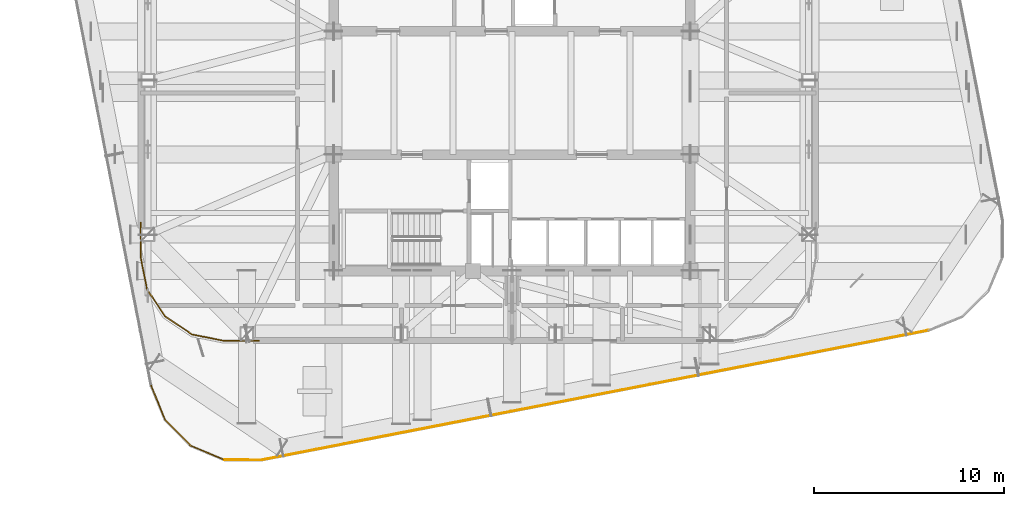
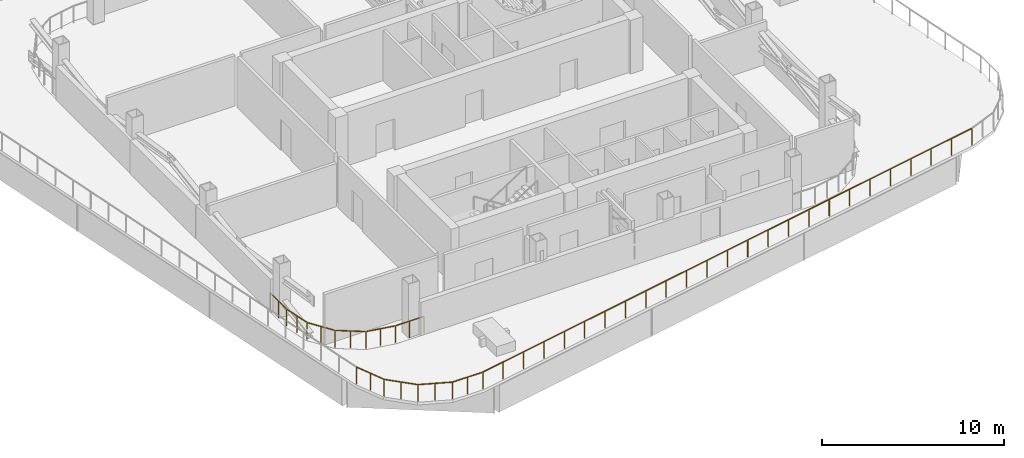
# One storey, part 10 of 14: 6 railings.
"""IFC4 building model written with IfcOpenShell, lengths in metres."""

import ifcopenshell
import ifcopenshell.guid

model = None  # the IFC model being written
_history = None  # IfcOwnerHistory: only IFC2X3 demands one
_inside = {}  # id of a spatial element -> (the spatial element, [elements in it])
_under = {}  # id of a project, library or spatial element -> (it, [spatial elements below it])
_declared = {}  # id of a project -> (the project, [libraries it declares])
_typed = {}  # id of a type object -> (the type object, [elements of that type])
_made_of = {}  # id of a material, layer set ... -> (it, [elements and type objects made of it])


def new_model(schema):
    """Start an empty IFC model of exactly this schema.

    Asked for "IFC4X3", IfcOpenShell would pick the latest addendum, in which some entities
    have other attributes; the version numbers below select the first issue.
    IFC2X3 requires an IfcOwnerHistory on every rooted entity: one is made here for all.
    """
    global model, _history
    if schema == "IFC4X3":
        model = ifcopenshell.file(schema_version=(4, 3, 0, 0))
    else:
        model = ifcopenshell.file(schema=schema)
    _inside.clear()
    _under.clear()
    _declared.clear()
    _typed.clear()
    _made_of.clear()
    _history = None
    if model.schema == "IFC2X3":
        org = make("IfcOrganization", Name="unknown")
        user = make(
            "IfcPersonAndOrganization",
            ThePerson=make("IfcPerson", FamilyName="unknown"),
            TheOrganization=org,
        )
        app = make(
            "IfcApplication",
            ApplicationDeveloper=org,
            Version="unknown",
            ApplicationFullName="unknown",
            ApplicationIdentifier="unknown",
        )
        _history = make(
            "IfcOwnerHistory",
            OwningUser=user,
            OwningApplication=app,
            ChangeAction="ADDED",
            CreationDate=0,
        )
    return model


def make(cls, **values):
    """One entity of the class cls with the attributes given. An attribute that is None is left unset."""
    return model.create_entity(
        cls, **{name: value for name, value in values.items() if value is not None}
    )


def rooted(cls, **values):
    """An entity with a GlobalId (a new one), such as an element, a storey or a relation."""
    return make(cls, GlobalId=ifcopenshell.guid.new(), OwnerHistory=_history, **values)


def si_unit(unit_type, name, prefix=None):
    """IfcSIUnit, for example si_unit("LENGTHUNIT", "METRE", prefix="MILLI")."""
    return make("IfcSIUnit", UnitType=unit_type, Prefix=prefix, Name=name)


def assignment(units):
    """IfcUnitAssignment: the units of a project."""
    return None if units is None else make("IfcUnitAssignment", Units=units)


def point(xyz):
    """IfcCartesianPoint."""
    return None if xyz is None else make("IfcCartesianPoint", Coordinates=xyz)


def direction(xyz):
    """IfcDirection."""
    return None if xyz is None else make("IfcDirection", DirectionRatios=xyz)


def frame(location, z_axis=None, x_axis=None):
    """IfcAxis2Placement3D, a coordinate frame: its origin and axes. An axis left out is left unset."""
    return make(
        "IfcAxis2Placement3D",
        Location=point(location),
        Axis=direction(z_axis),
        RefDirection=direction(x_axis),
    )


def frame_2d(location, x_axis=None):
    """IfcAxis2Placement2D, a coordinate frame in the plane: its origin and x axis."""
    return make(
        "IfcAxis2Placement2D", Location=point(location), RefDirection=direction(x_axis)
    )


def origin():
    """The frame at (0, 0, 0) with its axes left unset."""
    return frame((0.0, 0.0, 0.0))


def origin_2d():
    """The frame at (0, 0) in the plane with its x axis left unset."""
    return frame_2d((0.0, 0.0))


def place(relative_to, where):
    """IfcLocalPlacement: puts the frame where relative to a parent placement (None: the world)."""
    return make(
        "IfcLocalPlacement", PlacementRelTo=relative_to, RelativePlacement=where
    )


def context(
    kind, dimensions, precision=None, world=None, true_north=None, identifier=None
):
    """IfcGeometricRepresentationContext, for example the 3D "Model" context."""
    return make(
        "IfcGeometricRepresentationContext",
        ContextIdentifier=identifier,
        ContextType=kind,
        CoordinateSpaceDimension=dimensions,
        Precision=precision,
        WorldCoordinateSystem=world,
        TrueNorth=true_north,
    )


def subcontext(parent, identifier, kind, view, scale=None):
    """IfcGeometricRepresentationSubContext, for example "Body" below "Model"."""
    return make(
        "IfcGeometricRepresentationSubContext",
        ContextIdentifier=identifier,
        ContextType=kind,
        ParentContext=parent,
        TargetScale=scale,
        TargetView=view,
    )


def project(units=None, contexts=None):
    """IfcProject with its units and contexts."""
    return rooted(
        "IfcProject",
        Name="project",
        RepresentationContexts=contexts,
        UnitsInContext=assignment(units),
    )


def spatial(cls, under=None, at=None, **own):
    """A site, building, storey or space (cls), placed at a placement, below another one or the project."""
    s = rooted(cls, ObjectPlacement=at, **own)
    if under is not None:
        _under.setdefault(under.id(), (under, []))[1].append(s)
    return s


def profile(cls, at=None, kind="AREA", **sizes):
    """A parametric profile (cls). Its sizes go by their IFC names, for example OverallWidth=200.0."""
    return make(cls, ProfileType=kind, Position=at, **sizes)


def rectangle(**sizes):
    """IfcRectangleProfileDef."""
    return profile("IfcRectangleProfileDef", **sizes)


def extrude(swept, where, along, depth):
    """IfcExtrudedAreaSolid: the profile swept, set in the frame where, extruded along a direction by depth."""
    return make(
        "IfcExtrudedAreaSolid",
        SweptArea=swept,
        Position=where,
        ExtrudedDirection=direction(along),
        Depth=depth,
    )


def shape(context_of_items, identifier, shape_type, items):
    """IfcShapeRepresentation: the items that make up one representation, for example the "Body"."""
    return make(
        "IfcShapeRepresentation",
        ContextOfItems=context_of_items,
        RepresentationIdentifier=identifier,
        RepresentationType=shape_type,
        Items=items,
    )


def material(Name=None, Category=None):
    """IfcMaterial."""
    return make("IfcMaterial", Name=Name, Category=Category)


def made_of(thing, what):
    """Note that an element or type object is made of a material, layer set ...; save() writes the relation."""
    if what is not None:
        _made_of.setdefault(what.id(), (what, []))[1].append(thing)
    return thing


def type_object(cls, material=None, **own):
    """A type object (cls), such as IfcWallType, which elements share."""
    return made_of(rooted(cls, **own), material)


def element(
    cls,
    number,
    at=None,
    inside=None,
    cuts=None,
    type_object=None,
    material=None,
    context=None,
    identifier="Body",
    shape_type=None,
    held_by="IfcProductDefinitionShape",
    body=None,
    shapes=None,
    **own,
):
    """One element of the class cls, such as IfcWall. Its Tag is "e" and its number.

    at: its placement. inside: the storey or other place that contains it. cuts: it is an
    opening in that element (IfcRelVoidsElement). A single representation is given by context,
    identifier, shape_type and body (its items); several are given by shapes. held_by: the class
    of the entity that holds the representations. save() writes the other relations.
    """
    e = rooted(cls, Tag="e%d" % number, ObjectPlacement=at, **own)
    if body is not None:
        shapes = [shape(context, identifier, shape_type, body)]
    if shapes is not None:
        e.Representation = make(held_by, Representations=shapes)
    if inside is not None:
        _inside.setdefault(inside.id(), (inside, []))[1].append(e)
    if cuts is not None:
        rooted(
            "IfcRelVoidsElement", RelatingBuildingElement=cuts, RelatedOpeningElement=e
        )
    if type_object is not None:
        _typed.setdefault(type_object.id(), (type_object, []))[1].append(e)
    return made_of(e, material)


def aggregate(whole, parts):
    """IfcRelAggregates: a whole, such as a stair, and the parts it consists of."""
    return rooted("IfcRelAggregates", RelatingObject=whole, RelatedObjects=parts)


def save(model, path):
    """Write the relations noted so far, then the file.

    IfcRelAggregates (storeys below a building ...), IfcRelContainedInSpatialStructure (elements
    in a storey), IfcRelDefinesByType, IfcRelAssociatesMaterial and IfcRelDeclares: one each for
    every whole, place, type object, material and project.
    """
    for whole, parts in _under.values():
        aggregate(whole, parts)
    for where, things in _inside.values():
        rooted(
            "IfcRelContainedInSpatialStructure",
            RelatedElements=things,
            RelatingStructure=where,
        )
    for kind, things in _typed.values():
        rooted("IfcRelDefinesByType", RelatedObjects=things, RelatingType=kind)
    for what, things in _made_of.values():
        rooted("IfcRelAssociatesMaterial", RelatedObjects=things, RelatingMaterial=what)
    for by, libraries in _declared.values():
        rooted("IfcRelDeclares", RelatingContext=by, RelatedDefinitions=libraries)
    model.write(path)


model = new_model("IFC4")

# Units and contexts
model_context = context("Model", 3, precision=1e-05, world=origin(), true_north=direction((0.0, 1.0)))
body_context = subcontext(model_context, "Body", "Model", "MODEL_VIEW")
ifc_project = project(units=[si_unit("LENGTHUNIT", "METRE"), si_unit("AREAUNIT", "SQUARE_METRE"), si_unit("VOLUMEUNIT", "CUBIC_METRE"), si_unit("PLANEANGLEUNIT", "RADIAN"), si_unit("MASSUNIT", "GRAM", prefix="KILO")], contexts=[model_context])

# Site, building, storey
site_placement = place(None, origin())
site = spatial("IfcSite", under=ifc_project, at=site_placement, CompositionType="ELEMENT")
building_placement = place(site_placement, origin())
building = spatial("IfcBuilding", under=site, at=building_placement, Name="Qhalaya Broadcast Tower", CompositionType="ELEMENT")
storey_placement = place(building_placement, frame((0.0, 0.0, 144.60009765625)))
storey = spatial("IfcBuildingStorey", under=building, at=storey_placement, Name="L42", CompositionType="ELEMENT", Elevation=144.60009765625)

# Railings
ifc_material = material(Name="Powder-Coated Galvanised Steel", Category="steel")
railing_type = type_object("IfcRailingType", Name="Terrace, Sky-Pool & Lookout Glass Balustrade 1150", PredefinedType="BALUSTRADE", material=ifc_material)
railing_1_placement = place(storey_placement, frame((21.85888671875, -11.8671875, 0.0)))
element("IfcRailing", 1, at=railing_1_placement, inside=storey, type_object=railing_type, Name="L42 Perimeter Safety Balustrade BAL-TER1-01", PredefinedType="BALUSTRADE", context=body_context, shape_type="SweptSolid", body=[
    extrude(rectangle(XDim=0.048095703125, YDim=0.048095703125, at=origin_2d()), frame((0.0, 0.0, 1.1259765625), z_axis=(-0.981627316226, -0.190808312289, 0.0), x_axis=(0.190808312289, -0.981627316226, 0.0)), (0.0, 0.0, 1.0), 35.68408203125),
    extrude(rectangle(XDim=0.0419921875, YDim=0.0419921875, at=origin_2d()), origin(), (0.0, 0.0, 1.0), 1.099853515625),
    extrude(rectangle(XDim=0.0419921875, YDim=0.0419921875, at=origin_2d()), frame((-1.45947265625, -0.28369140625, 0.0)), (0.0, 0.0, 1.0), 1.099853515625),
    extrude(rectangle(XDim=0.0419921875, YDim=0.0419921875, at=origin_2d()), frame((-2.9189453125, -0.5673828125, 0.0)), (0.0, 0.0, 1.0), 1.099853515625),
    extrude(rectangle(XDim=0.0419921875, YDim=0.0419921875, at=origin_2d()), frame((-4.378662109375, -0.85107421875, 0.0)), (0.0, 0.0, 1.0), 1.099853515625),
    extrude(rectangle(XDim=0.0419921875, YDim=0.0419921875, at=origin_2d()), frame((-5.838134765625, -1.134765625, 0.0)), (0.0, 0.0, 1.0), 1.099853515625),
    extrude(rectangle(XDim=0.0419921875, YDim=0.0419921875, at=origin_2d()), frame((-7.297607421875, -1.41845703125, 0.0)), (0.0, 0.0, 1.0), 1.099853515625),
    extrude(rectangle(XDim=0.0419921875, YDim=0.0419921875, at=origin_2d()), frame((-8.757080078125, -1.7021484375, 0.0)), (0.0, 0.0, 1.0), 1.099853515625),
    extrude(rectangle(XDim=0.0419921875, YDim=0.0419921875, at=origin_2d()), frame((-10.216552734375, -1.98583984375, 0.0)), (0.0, 0.0, 1.0), 1.099853515625),
    extrude(rectangle(XDim=0.0419921875, YDim=0.0419921875, at=origin_2d()), frame((-11.67626953125, -2.26953125, 0.0)), (0.0, 0.0, 1.0), 1.099853515625),
    extrude(rectangle(XDim=0.0419921875, YDim=0.0419921875, at=origin_2d()), frame((-13.1357421875, -2.55322265625, 0.0)), (0.0, 0.0, 1.0), 1.099853515625),
    extrude(rectangle(XDim=0.0419921875, YDim=0.0419921875, at=origin_2d()), frame((-14.59521484375, -2.8369140625, 0.0)), (0.0, 0.0, 1.0), 1.099853515625),
    extrude(rectangle(XDim=0.0419921875, YDim=0.0419921875, at=origin_2d()), frame((-16.0546875, -3.12060546875, 0.0)), (0.0, 0.0, 1.0), 1.099853515625),
    extrude(rectangle(XDim=0.0419921875, YDim=0.0419921875, at=origin_2d()), frame((-17.51416015625, -3.404296875, 0.0)), (0.0, 0.0, 1.0), 1.099853515625),
    extrude(rectangle(XDim=0.0419921875, YDim=0.0419921875, at=origin_2d()), frame((-18.973876953125, -3.688232421875, 0.0)), (0.0, 0.0, 1.0), 1.099853515625),
    extrude(rectangle(XDim=0.0419921875, YDim=0.0419921875, at=origin_2d()), frame((-20.433349609375, -3.971923828125, 0.0)), (0.0, 0.0, 1.0), 1.099853515625),
    extrude(rectangle(XDim=0.0419921875, YDim=0.0419921875, at=origin_2d()), frame((-21.892822265625, -4.255615234375, 0.0)), (0.0, 0.0, 1.0), 1.099853515625),
    extrude(rectangle(XDim=0.0419921875, YDim=0.0419921875, at=origin_2d()), frame((-23.352294921875, -4.539306640625, 0.0)), (0.0, 0.0, 1.0), 1.099853515625),
    extrude(rectangle(XDim=0.0419921875, YDim=0.0419921875, at=origin_2d()), frame((-24.81201171875, -4.822998046875, 0.0)), (0.0, 0.0, 1.0), 1.099853515625),
    extrude(rectangle(XDim=0.0419921875, YDim=0.0419921875, at=origin_2d()), frame((-26.271484375, -5.106689453125, 0.0)), (0.0, 0.0, 1.0), 1.099853515625),
    extrude(rectangle(XDim=0.0419921875, YDim=0.0419921875, at=origin_2d()), frame((-27.73095703125, -5.390380859375, 0.0)), (0.0, 0.0, 1.0), 1.099853515625),
    extrude(rectangle(XDim=0.0419921875, YDim=0.0419921875, at=origin_2d()), frame((-29.1904296875, -5.674072265625, 0.0)), (0.0, 0.0, 1.0), 1.099853515625),
    extrude(rectangle(XDim=0.0419921875, YDim=0.0419921875, at=origin_2d()), frame((-30.64990234375, -5.957763671875, 0.0)), (0.0, 0.0, 1.0), 1.099853515625),
    extrude(rectangle(XDim=0.0419921875, YDim=0.0419921875, at=origin_2d()), frame((-32.109619140625, -6.241455078125, 0.0)), (0.0, 0.0, 1.0), 1.099853515625),
    extrude(rectangle(XDim=0.0419921875, YDim=0.0419921875, at=origin_2d()), frame((-33.569091796875, -6.525146484375, 0.0)), (0.0, 0.0, 1.0), 1.099853515625),
    extrude(rectangle(XDim=0.0419921875, YDim=0.0419921875, at=origin_2d()), frame((-35.028564453125, -6.808837890625, 0.0)), (0.0, 0.0, 1.0), 1.099853515625),
])
railing_2_placement = place(storey_placement, frame((-13.169677734375, -18.676025390625, 0.0)))
element("IfcRailing", 2, at=railing_2_placement, inside=storey, type_object=railing_type, Name="L42 Perimeter Safety Balustrade BAL-TER1-02", PredefinedType="BALUSTRADE", context=body_context, shape_type="SweptSolid", body=[
    extrude(rectangle(XDim=0.048095703125, YDim=0.048095703125, at=origin_2d()), frame((0.0, 0.0, 1.1259765625), z_axis=(-0.999990722358, 0.004307574377, 0.0), x_axis=(-0.004307574377, -0.999990722358, 0.0)), (0.0, 0.0, 1.0), 1.927001953125),
    extrude(rectangle(XDim=0.0419921875, YDim=0.0419921875, at=origin_2d()), origin(), (0.0, 0.0, 1.0), 1.099853515625),
    extrude(rectangle(XDim=0.0419921875, YDim=0.0419921875, at=origin_2d()), frame((-0.96337890625, 0.004150390625, 0.0)), (0.0, 0.0, 1.0), 1.099853515625),
    extrude(rectangle(XDim=0.0419921875, YDim=0.0419921875, at=origin_2d()), frame((-1.927001953125, 0.00830078125, 0.0)), (0.0, 0.0, 1.0), 1.099853515625),
])
railing_3_placement = place(storey_placement, frame((-15.0966796875, -18.667724609375, 0.0)))
element("IfcRailing", 3, at=railing_3_placement, inside=storey, type_object=railing_type, Name="L42 Perimeter Safety Balustrade BAL-TER1-03", PredefinedType="BALUSTRADE", context=body_context, shape_type="SweptSolid", body=[
    extrude(rectangle(XDim=0.048095703125, YDim=0.048095703125, at=origin_2d()), frame((0.0, 0.0, 1.1259765625), z_axis=(-0.922189991123, 0.386737146229, 0.0), x_axis=(-0.386737146229, -0.922189991123, 0.0)), (0.0, 0.0, 1.0), 1.919189453125),
    extrude(rectangle(XDim=0.0419921875, YDim=0.0419921875, at=origin_2d()), origin(), (0.0, 0.0, 1.0), 1.099853515625),
    extrude(rectangle(XDim=0.0419921875, YDim=0.0419921875, at=origin_2d()), frame((-0.884765625, 0.37109375, 0.0)), (0.0, 0.0, 1.0), 1.099853515625),
    extrude(rectangle(XDim=0.0419921875, YDim=0.0419921875, at=origin_2d()), frame((-1.769775390625, 0.7421875, 0.0)), (0.0, 0.0, 1.0), 1.099853515625),
])
railing_4_placement = place(storey_placement, frame((-16.866455078125, -17.925537109375, 0.0)))
element("IfcRailing", 4, at=railing_4_placement, inside=storey, type_object=railing_type, Name="L42 Perimeter Safety Balustrade BAL-TER1-04", PredefinedType="BALUSTRADE", context=body_context, shape_type="SweptSolid", body=[
    extrude(rectangle(XDim=0.048095703125, YDim=0.048095703125, at=origin_2d()), frame((0.0, 0.0, 1.1259765625), z_axis=(-0.704046859575, 0.710153518278, 0.0), x_axis=(-0.710153518278, -0.704046859575, 0.0)), (0.0, 0.0, 1.0), 1.9189453125),
    extrude(rectangle(XDim=0.0419921875, YDim=0.0419921875, at=origin_2d()), origin(), (0.0, 0.0, 1.0), 1.099853515625),
    extrude(rectangle(XDim=0.0419921875, YDim=0.0419921875, at=origin_2d()), frame((-0.675537109375, 0.681396484375, 0.0)), (0.0, 0.0, 1.0), 1.099853515625),
    extrude(rectangle(XDim=0.0419921875, YDim=0.0419921875, at=origin_2d()), frame((-1.35107421875, 1.36279296875, 0.0)), (0.0, 0.0, 1.0), 1.099853515625),
])
railing_5_placement = place(storey_placement, frame((-18.217529296875, -16.562744140625, 0.0)))
element("IfcRailing", 5, at=railing_5_placement, inside=storey, type_object=railing_type, Name="L42 Perimeter Safety Balustrade BAL-TER1-05", PredefinedType="BALUSTRADE", context=body_context, shape_type="SweptSolid", body=[
    extrude(rectangle(XDim=0.048095703125, YDim=0.048095703125, at=origin_2d()), frame((0.0, 0.0, 1.1259765625), z_axis=(-0.37865257664, 0.92553888422, 0.0), x_axis=(-0.92553888422, -0.37865257664, 0.0)), (0.0, 0.0, 1.0), 1.92724609375),
    extrude(rectangle(XDim=0.0419921875, YDim=0.0419921875, at=origin_2d()), origin(), (0.0, 0.0, 1.0), 1.099853515625),
    extrude(rectangle(XDim=0.0419921875, YDim=0.0419921875, at=origin_2d()), frame((-0.36474609375, 0.891845703125, 0.0)), (0.0, 0.0, 1.0), 1.099853515625),
    extrude(rectangle(XDim=0.0419921875, YDim=0.0419921875, at=origin_2d()), frame((-0.729736328125, 1.78369140625, 0.0)), (0.0, 0.0, 1.0), 1.099853515625),
])
railing_6_placement = place(storey_placement, frame((-13.302001953125, -12.419921875, 0.0)))
element("IfcRailing", 6, at=railing_6_placement, inside=storey, type_object=railing_type, Name="L42 Rounded Corner Perimeter Guard 02", PredefinedType="BALUSTRADE", context=body_context, shape_type="SweptSolid", body=[
    extrude(rectangle(XDim=0.048095703125, YDim=0.048095703125, at=origin_2d()), frame((0.0, 0.0, 1.1259765625), z_axis=(-1.0, 0.0, 0.0), x_axis=(0.0, -1.0, 0.0)), (0.0, 0.0, 1.0), 1.77734375),
    extrude(rectangle(XDim=0.048095703125, YDim=0.048095703125, at=origin_2d()), frame((-1.83447265625, 0.005615234375, 1.1259765625), z_axis=(-0.980803832953, 0.194997028864, 0.0), x_axis=(-0.194997028864, -0.980803832953, 0.0)), (0.0, 0.0, 1.0), 1.66259765625),
    extrude(rectangle(XDim=0.048095703125, YDim=0.048095703125, at=origin_2d()), frame((-3.517333984375, 0.3515625, 1.1259765625), z_axis=(-0.831456085426, 0.555590476887, 0.0), x_axis=(-0.555590476887, -0.831456085426, 0.0)), (0.0, 0.0, 1.0), 1.650390625),
    extrude(rectangle(XDim=0.048095703125, YDim=0.048095703125, at=origin_2d()), frame((-4.9296875, 1.308349609375, 1.1259765625), z_axis=(-0.555590476887, 0.831456085426, 0.0), x_axis=(-0.831456085426, -0.555590476887, 0.0)), (0.0, 0.0, 1.0), 1.650390625),
    extrude(rectangle(XDim=0.048095703125, YDim=0.048095703125, at=origin_2d()), frame((-5.8681640625, 2.73291015625, 1.1259765625), z_axis=(-0.195024175165, 0.980798435511, 0.0), x_axis=(-0.980798435511, -0.195024175165, 0.0)), (0.0, 0.0, 1.0), 1.662353515625),
    extrude(rectangle(XDim=0.048095703125, YDim=0.048095703125, at=origin_2d()), frame((-6.197998046875, 4.42041015625, 1.1259765625), z_axis=(0.0, 1.0, 0.0), x_axis=(-1.0, 0.0, 0.0)), (0.0, 0.0, 1.0), 1.777587890625),
    extrude(rectangle(XDim=0.0419921875, YDim=0.0419921875, at=origin_2d()), origin(), (0.0, 0.0, 1.0), 1.099853515625),
    extrude(rectangle(XDim=0.0419921875, YDim=0.0419921875, at=origin_2d()), frame((-0.903076171875, 0.0, 0.0)), (0.0, 0.0, 1.0), 1.099853515625),
    extrude(rectangle(XDim=0.0419921875, YDim=0.0419921875, at=origin_2d()), frame((-1.80615234375, 0.0, 0.0)), (0.0, 0.0, 1.0), 1.099853515625),
    extrude(rectangle(XDim=0.0419921875, YDim=0.0419921875, at=origin_2d()), frame((-2.64990234375, 0.167724609375, 0.0)), (0.0, 0.0, 1.0), 1.099853515625),
    extrude(rectangle(XDim=0.0419921875, YDim=0.0419921875, at=origin_2d()), frame((-3.493408203125, 0.33544921875, 0.0)), (0.0, 0.0, 1.0), 1.099853515625),
    extrude(rectangle(XDim=0.0419921875, YDim=0.0419921875, at=origin_2d()), frame((-4.20361328125, 0.81005859375, 0.0)), (0.0, 0.0, 1.0), 1.099853515625),
    extrude(rectangle(XDim=0.0419921875, YDim=0.0419921875, at=origin_2d()), frame((-4.91357421875, 1.284423828125, 0.0)), (0.0, 0.0, 1.0), 1.099853515625),
    extrude(rectangle(XDim=0.0419921875, YDim=0.0419921875, at=origin_2d()), frame((-5.38818359375, 1.99462890625, 0.0)), (0.0, 0.0, 1.0), 1.099853515625),
    extrude(rectangle(XDim=0.0419921875, YDim=0.0419921875, at=origin_2d()), frame((-5.862548828125, 2.70458984375, 0.0)), (0.0, 0.0, 1.0), 1.099853515625),
    extrude(rectangle(XDim=0.0419921875, YDim=0.0419921875, at=origin_2d()), frame((-6.0302734375, 3.548095703125, 0.0)), (0.0, 0.0, 1.0), 1.099853515625),
    extrude(rectangle(XDim=0.0419921875, YDim=0.0419921875, at=origin_2d()), frame((-6.197998046875, 4.3916015625, 0.0)), (0.0, 0.0, 1.0), 1.099853515625),
    extrude(rectangle(XDim=0.0419921875, YDim=0.0419921875, at=origin_2d()), frame((-6.197998046875, 5.294921875, 0.0)), (0.0, 0.0, 1.0), 1.099853515625),
    extrude(rectangle(XDim=0.0419921875, YDim=0.0419921875, at=origin_2d()), frame((-6.197998046875, 6.197998046875, 0.0)), (0.0, 0.0, 1.0), 1.099853515625),
])

save(model, "model.ifc")
